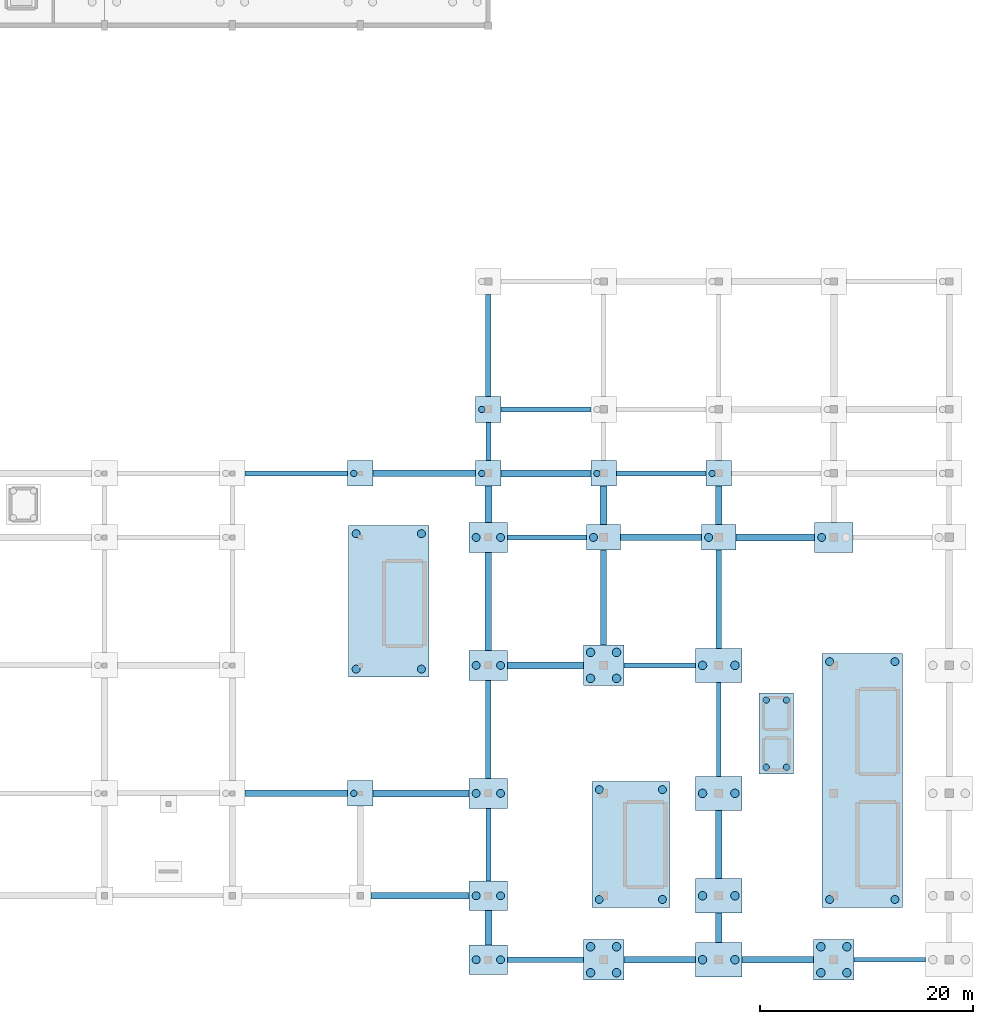
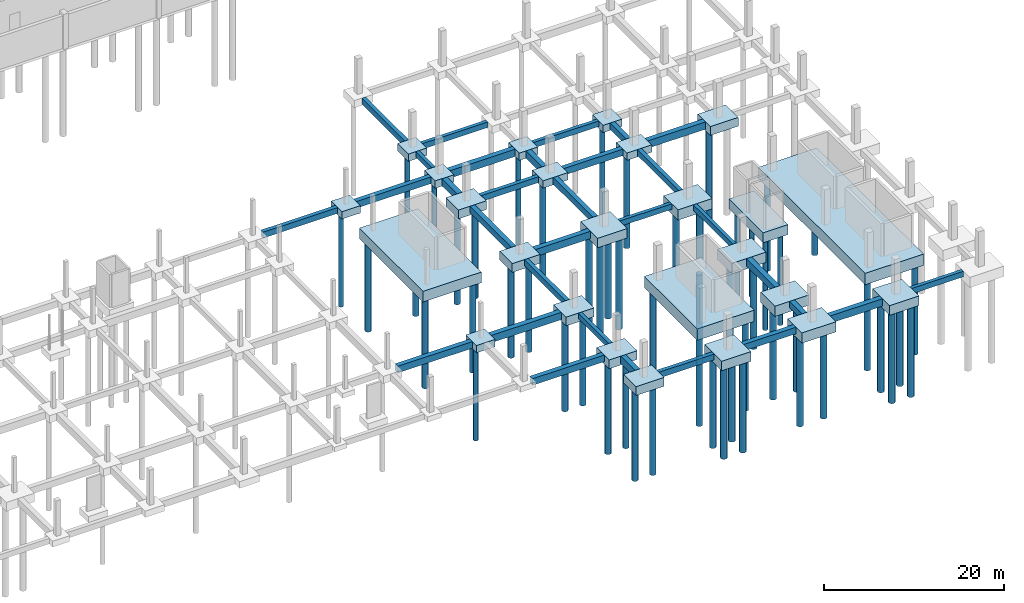
# One storey, part 5 of 31: 56 footings, 55 piles.
"""IFC4 building model written with IfcOpenShell, lengths in metres."""

from ifc_helpers import new_model, si_unit, direction, frame, origin, origin_2d, place, context, subcontext, project, spatial, rectangle, circle, extrude, material, layer, layer_set, material_profile, profile_set, type_object, element, save


model = new_model("IFC4")

# Units and contexts
model_context = context("Model", 3, precision=1e-05, world=origin(), true_north=direction((0.0, 1.0)))
body_context = subcontext(model_context, "Body", "Model", "MODEL_VIEW")
ifc_project = project(units=[si_unit("LENGTHUNIT", "METRE"), si_unit("AREAUNIT", "SQUARE_METRE"), si_unit("VOLUMEUNIT", "CUBIC_METRE"), si_unit("PLANEANGLEUNIT", "RADIAN"), si_unit("MASSUNIT", "GRAM", prefix="KILO")], contexts=[model_context])

# Site, building, storey
site_placement = place(None, origin())
site = spatial("IfcSite", under=ifc_project, at=site_placement, CompositionType="ELEMENT")
building_placement = place(site_placement, origin())
building = spatial("IfcBuilding", under=site, at=building_placement, Name="Merenkruunu Market Hall", CompositionType="ELEMENT")
storey_placement = place(building_placement, frame((0.0, 0.0, -4.800048828125)))
storey = spatial("IfcBuildingStorey", under=building, at=storey_placement, Name="B1", CompositionType="ELEMENT", Elevation=-4.800048828125)

# Footings
ifc_material = material(Name="Concrete C35/45", Category="concrete")
ifc_layer_1 = layer(ifc_material, 1.0)
ifc_layer_set_1 = layer_set([ifc_layer_1], Name="Concrete C35/45")
footing_type_1 = type_object("IfcFootingType", Name="Multi Pile Cap PC01", PredefinedType="PILE_CAP", material=ifc_layer_set_1)
for number, where, z_axis, x_axis, name in (
    (1, (136.800048828125, 15.60009765625, -1.0), (0.0, 0.0, 1.0), (1.0, 0.0, 0.0), "FTG-CAP-P-03"),
    (2, (136.800048828125, 45.60009765625, -1.0), (0.0, 0.0, 1.0), (1.0, 0.0, 0.0), "FTG-CAP-P-06"),
    (3, (148.800048828125, 45.60009765625, -1.0), (0.0, 0.0, 1.0), (1.0, 0.0, 0.0), "FTG-CAP-Q-06"),
    (4, (148.800048828125, 51.60009765625, -1.0), (0.0, 0.0, 1.0), (1.0, 0.0, 0.0), "FTG-CAP-Q-07"),
    (5, (159.60009765625, 45.60009765625, -1.0), (0.0, 0.0, 1.0), (1.0, 0.0, 0.0), "FTG-CAP-R-06"),
    (6, (170.39990234375, 45.60009765625, -1.0), (0.0, 0.0, 1.0), (1.0, 0.0, 0.0), "FTG-CAP-S-06"),
):
    element("IfcFooting", number, at=place(storey_placement, frame(where, z_axis=z_axis, x_axis=x_axis)), inside=storey, type_object=footing_type_1, Name=name, PredefinedType="PILE_CAP", context=body_context, shape_type="SweptSolid", body=[
        extrude(rectangle(XDim=2.39990234375, YDim=2.39990234375, at=origin_2d()), origin(), (0.0, 0.0, 1.0), 1.0),
    ])
ifc_layer_2 = layer(ifc_material, 1.0)
ifc_layer_set_2 = layer_set([ifc_layer_2], Name="Concrete C35/45")
footing_type_2 = type_object("IfcFootingType", Name="Multi Pile Cap PC03", PredefinedType="PILE_CAP", material=ifc_layer_set_2)
for number, where, z_axis, x_axis, name in (
    (7, (159.60009765625, 39.60009765625, -1.0), (0.0, 0.0, 1.0), (1.0, 0.0, 0.0), "FTG-CAP-R-05"),
    (8, (170.39990234375, 39.60009765625, -1.0), (0.0, 0.0, 1.0), (1.0, 0.0, 0.0), "FTG-CAP-S-05"),
):
    element("IfcFooting", number, at=place(storey_placement, frame(where, z_axis=z_axis, x_axis=x_axis)), inside=storey, type_object=footing_type_2, Name=name, PredefinedType="PILE_CAP", context=body_context, shape_type="SweptSolid", body=[
        extrude(rectangle(XDim=3.199951171875, YDim=2.39990234375, at=origin_2d()), origin(), (0.0, 0.0, 1.0), 1.0),
    ])
ifc_layer_3 = layer(ifc_material, 1.199951171875)
ifc_layer_set_3 = layer_set([ifc_layer_3], Name="Concrete C35/45")
footing_type_3 = type_object("IfcFootingType", Name="Multi Pile Cap PC04", PredefinedType="PILE_CAP", material=ifc_layer_set_3)
for number, where, z_axis, x_axis, name in (
    (9, (148.800048828125, 0.0, -1.19970703125), (0.0, 0.0, 1.0), (1.0, 0.0, 0.0), "FTG-CAP-Q-01"),
    (10, (148.800048828125, 6.0, -1.19970703125), (0.0, 0.0, 1.0), (1.0, 0.0, 0.0), "FTG-CAP-Q-02"),
    (11, (148.800048828125, 15.60009765625, -1.19970703125), (0.0, 0.0, 1.0), (1.0, 0.0, 0.0), "FTG-CAP-Q-03"),
    (12, (148.800048828125, 27.60009765625, -1.19970703125), (0.0, 0.0, 1.0), (1.0, 0.0, 0.0), "FTG-CAP-Q-04"),
    (13, (148.800048828125, 39.60009765625, -1.19970703125), (0.0, 0.0, 1.0), (1.0, 0.0, 0.0), "FTG-CAP-Q-05"),
    (14, (181.199951171875, 39.60009765625, -1.19970703125), (0.0, 0.0, 1.0), (1.0, 0.0, 0.0), "FTG-CAP-T-05"),
):
    element("IfcFooting", number, at=place(storey_placement, frame(where, z_axis=z_axis, x_axis=x_axis)), inside=storey, type_object=footing_type_3, Name=name, PredefinedType="PILE_CAP", context=body_context, shape_type="SweptSolid", body=[
        extrude(rectangle(XDim=3.60009765625, YDim=2.800048828125, at=origin_2d()), origin(), (0.0, 0.0, 1.0), 1.199951171875),
    ])
ifc_layer_4 = layer(ifc_material, 1.300048828125)
ifc_layer_set_4 = layer_set([ifc_layer_4], Name="Concrete C35/45")
footing_type_4 = type_object("IfcFootingType", Name="Multi Pile Cap PC05", PredefinedType="PILE_CAP", material=ifc_layer_set_4)
for number, where, z_axis, x_axis, name in (
    (15, (159.60009765625, 0.0, -1.2998046875), (0.0, 0.0, 1.0), (1.0, 0.0, 0.0), "FTG-CAP-R-01"),
    (16, (159.60009765625, 27.60009765625, -1.2998046875), (0.0, 0.0, 1.0), (1.0, 0.0, 0.0), "FTG-CAP-R-04"),
    (17, (181.199951171875, 0.0, -1.2998046875), (0.0, 0.0, 1.0), (1.0, 0.0, 0.0), "FTG-CAP-T-01"),
):
    element("IfcFooting", number, at=place(storey_placement, frame(where, z_axis=z_axis, x_axis=x_axis)), inside=storey, type_object=footing_type_4, Name=name, PredefinedType="PILE_CAP", context=body_context, shape_type="SweptSolid", body=[
        extrude(rectangle(XDim=3.800048828125, YDim=3.800048828125, at=origin_2d()), origin(), (0.0, 0.0, 1.0), 1.300048828125),
    ])
ifc_layer_5 = layer(ifc_material, 1.39990234375)
ifc_layer_set_5 = layer_set([ifc_layer_5], Name="Concrete C35/45")
footing_type_5 = type_object("IfcFootingType", Name="Multi Pile Cap PC06", PredefinedType="PILE_CAP", material=ifc_layer_set_5)
for number, where, z_axis, x_axis, name in (
    (18, (170.39990234375, 0.0, -1.39990234375), (0.0, 0.0, 1.0), (1.0, 0.0, 0.0), "FTG-CAP-S-01"),
    (19, (170.39990234375, 6.0, -1.39990234375), (0.0, 0.0, 1.0), (1.0, 0.0, 0.0), "FTG-CAP-S-02"),
    (20, (170.39990234375, 15.60009765625, -1.39990234375), (0.0, 0.0, 1.0), (1.0, 0.0, 0.0), "FTG-CAP-S-03"),
    (21, (170.39990234375, 27.60009765625, -1.39990234375), (0.0, 0.0, 1.0), (1.0, 0.0, 0.0), "FTG-CAP-S-04"),
):
    element("IfcFooting", number, at=place(storey_placement, frame(where, z_axis=z_axis, x_axis=x_axis)), inside=storey, type_object=footing_type_5, Name=name, PredefinedType="PILE_CAP", context=body_context, shape_type="SweptSolid", body=[
        extrude(rectangle(XDim=4.39990234375, YDim=3.199951171875, at=origin_2d()), origin(), (0.0, 0.0, 1.0), 1.39990234375),
    ])
ifc_layer_6 = layer(ifc_material, 1.449951171875)
ifc_layer_set_6 = layer_set([ifc_layer_6], Name="Concrete C35/45")
footing_type_6 = type_object("IfcFootingType", Name="Multi Pile Cap PC09", PredefinedType="PILE_CAP", material=ifc_layer_set_6)
footing_1_placement = place(storey_placement, frame((139.4599609375, 33.60009765625, -1.44970703125), z_axis=(0.0, 0.0, 1.0), x_axis=(1.0, 0.0, 0.0)))
element("IfcFooting", 22, at=footing_1_placement, inside=storey, type_object=footing_type_6, Name="FTG-CORECAP-K8", PredefinedType="PILE_CAP", context=body_context, shape_type="SweptSolid", body=[
    extrude(rectangle(XDim=7.52001953125, YDim=14.199951171875, at=origin_2d()), origin(), (0.0, 0.0, 1.0), 1.449951171875),
])
ifc_layer_7 = layer(ifc_material, 1.550048828125)
ifc_layer_set_7 = layer_set([ifc_layer_7], Name="Concrete C35/45")
footing_type_7 = type_object("IfcFootingType", Name="Multi Pile Cap PC10", PredefinedType="PILE_CAP", material=ifc_layer_set_7)
footing_2_placement = place(storey_placement, frame((183.860107421875, 16.800048828125, -1.5498046875), z_axis=(0.0, 0.0, 1.0), x_axis=(1.0, 0.0, 0.0)))
element("IfcFooting", 23, at=footing_2_placement, inside=storey, type_object=footing_type_7, Name="FTG-CORECAP-K56", PredefinedType="PILE_CAP", context=body_context, shape_type="SweptSolid", body=[
    extrude(rectangle(XDim=7.52001953125, YDim=23.800048828125, at=origin_2d()), origin(), (0.0, 0.0, 1.0), 1.550048828125),
])
footing_3_placement = place(storey_placement, frame((162.159912109375, 10.800048828125, -1.5498046875), z_axis=(0.0, 0.0, 1.0), x_axis=(1.0, 0.0, 0.0)))
element("IfcFooting", 24, at=footing_3_placement, inside=storey, type_object=footing_type_7, Name="FTG-CORECAP-K9", PredefinedType="PILE_CAP", context=body_context, shape_type="SweptSolid", body=[
    extrude(rectangle(XDim=7.320068359375, YDim=11.800048828125, at=origin_2d()), origin(), (0.0, 0.0, 1.0), 1.550048828125),
])
ifc_layer_8 = layer(ifc_material, 1.35009765625)
ifc_layer_set_8 = layer_set([ifc_layer_8], Name="Concrete C35/45")
footing_type_8 = type_object("IfcFootingType", Name="Multi Pile Cap PC12", PredefinedType="PILE_CAP", material=ifc_layer_set_8)
footing_4_placement = place(storey_placement, frame((175.800048828125, 21.199951171875, -1.35009765625), z_axis=(0.0, 0.0, 1.0), x_axis=(1.0, 0.0, 0.0)))
element("IfcFooting", 25, at=footing_4_placement, inside=storey, type_object=footing_type_8, Name="FTG-LIFTCAP-LP45", PredefinedType="PILE_CAP", context=body_context, shape_type="SweptSolid", body=[
    extrude(rectangle(XDim=3.199951171875, YDim=7.60009765625, at=origin_2d()), origin(), (0.0, 0.0, 1.0), 1.35009765625),
])

# Piles
ifc_material_profile_1 = material_profile(ifc_material, circle(Radius=0.300048828125, at=origin_2d()), Name="BORED PILE 600")
ifc_profile_set_1 = profile_set([ifc_material_profile_1], Name="Concrete C35/45")
pile_type_1 = type_object("IfcPileType", Name="Rock Socketed Bored Pile P01", PredefinedType="BORED", material=ifc_profile_set_1)
for number, where, z_axis, x_axis, name in (
    (26, (174.85009765625, 18.050048828125, -1.25), (0.0, 0.0, -1.0), (1.0, 0.0, 0.0), "PILE-P01-0192"),
    (27, (176.75, 18.050048828125, -1.25), (0.0, 0.0, -1.0), (1.0, 0.0, 0.0), "PILE-P01-0193"),
    (28, (174.85009765625, 24.35009765625, -1.25), (0.0, 0.0, -1.0), (1.0, 0.0, 0.0), "PILE-P01-0194"),
    (29, (176.75, 24.35009765625, -1.25), (0.0, 0.0, -1.0), (1.0, 0.0, 0.0), "PILE-P01-0195"),
):
    element("IfcPile", number, at=place(storey_placement, frame(where, z_axis=z_axis, x_axis=x_axis)), inside=storey, type_object=pile_type_1, Name=name, PredefinedType="BORED", context=body_context, shape_type="SweptSolid", body=[
        extrude(circle(Radius=0.300048828125, at=origin_2d()), origin(), (0.0, 0.0, 1.0), 12.449951171875),
    ])
for number, where, z_axis, x_axis, name in (
    (30, (136.179931640625, 15.60009765625, -0.89990234375), (0.0, 0.0, -1.0), (1.0, 0.0, 0.0), "PILE-P01-0292"),
    (31, (136.179931640625, 45.60009765625, -0.89990234375), (0.0, 0.0, -1.0), (1.0, 0.0, 0.0), "PILE-P01-0293"),
    (32, (148.179931640625, 45.60009765625, -0.89990234375), (0.0, 0.0, -1.0), (1.0, 0.0, 0.0), "PILE-P01-0304"),
    (33, (148.179931640625, 51.60009765625, -0.89990234375), (0.0, 0.0, -1.0), (1.0, 0.0, 0.0), "PILE-P01-0305"),
    (34, (158.97998046875, 45.60009765625, -0.89990234375), (0.0, 0.0, -1.0), (1.0, 0.0, 0.0), "PILE-P01-0316"),
    (35, (169.780029296875, 45.60009765625, -0.89990234375), (0.0, 0.0, -1.0), (1.0, 0.0, 0.0), "PILE-P01-0328"),
):
    element("IfcPile", number, at=place(storey_placement, frame(where, z_axis=z_axis, x_axis=x_axis)), inside=storey, type_object=pile_type_1, Name=name, PredefinedType="BORED", context=body_context, shape_type="SweptSolid", body=[
        extrude(circle(Radius=0.300048828125, at=origin_2d()), origin(), (0.0, 0.0, 1.0), 12.800048828125),
    ])
ifc_material_profile_2 = material_profile(ifc_material, circle(Radius=0.375, at=origin_2d()), Name="BORED PILE 750")
ifc_profile_set_2 = profile_set([ifc_material_profile_2], Name="Concrete C35/45")
pile_type_2 = type_object("IfcPileType", Name="Rock Socketed Bored Pile P02", PredefinedType="BORED", material=ifc_profile_set_2)
for number, where, z_axis, x_axis, name in (
    (36, (180.800048828125, 5.64990234375, -1.449951171875), (0.0, 0.0, -1.0), (1.0, 0.0, 0.0), "PILE-P02-0176"),
    (37, (186.919921875, 5.64990234375, -1.449951171875), (0.0, 0.0, -1.0), (1.0, 0.0, 0.0), "PILE-P02-0177"),
    (38, (180.800048828125, 27.949951171875, -1.449951171875), (0.0, 0.0, -1.0), (1.0, 0.0, 0.0), "PILE-P02-0178"),
    (39, (186.919921875, 27.949951171875, -1.449951171875), (0.0, 0.0, -1.0), (1.0, 0.0, 0.0), "PILE-P02-0179"),
):
    element("IfcPile", number, at=place(storey_placement, frame(where, z_axis=z_axis, x_axis=x_axis)), inside=storey, type_object=pile_type_2, Name=name, PredefinedType="BORED", context=body_context, shape_type="SweptSolid", body=[
        extrude(circle(Radius=0.375, at=origin_2d()), origin(), (0.0, 0.0, 1.0), 12.25),
    ])
for number, where, z_axis, x_axis, name in (
    (40, (136.39990234375, 27.25, -1.349853515625), (0.0, 0.0, -1.0), (1.0, 0.0, 0.0), "PILE-P02-0180"),
    (41, (142.52001953125, 27.25, -1.349853515625), (0.0, 0.0, -1.0), (1.0, 0.0, 0.0), "PILE-P02-0181"),
    (42, (136.39990234375, 39.949951171875, -1.349853515625), (0.0, 0.0, -1.0), (1.0, 0.0, 0.0), "PILE-P02-0182"),
    (43, (142.52001953125, 39.949951171875, -1.349853515625), (0.0, 0.0, -1.0), (1.0, 0.0, 0.0), "PILE-P02-0183"),
):
    element("IfcPile", number, at=place(storey_placement, frame(where, z_axis=z_axis, x_axis=x_axis)), inside=storey, type_object=pile_type_2, Name=name, PredefinedType="BORED", context=body_context, shape_type="SweptSolid", body=[
        extrude(circle(Radius=0.375, at=origin_2d()), origin(), (0.0, 0.0, 1.0), 12.35009765625),
    ])
for number, where, z_axis, x_axis, name in (
    (44, (159.199951171875, 5.64990234375, -1.449951171875), (0.0, 0.0, -1.0), (1.0, 0.0, 0.0), "PILE-P02-0184"),
    (45, (165.1201171875, 5.64990234375, -1.449951171875), (0.0, 0.0, -1.0), (1.0, 0.0, 0.0), "PILE-P02-0185"),
    (46, (159.199951171875, 15.949951171875, -1.449951171875), (0.0, 0.0, -1.0), (1.0, 0.0, 0.0), "PILE-P02-0186"),
    (47, (165.1201171875, 15.949951171875, -1.449951171875), (0.0, 0.0, -1.0), (1.0, 0.0, 0.0), "PILE-P02-0187"),
):
    element("IfcPile", number, at=place(storey_placement, frame(where, z_axis=z_axis, x_axis=x_axis)), inside=storey, type_object=pile_type_2, Name=name, PredefinedType="BORED", context=body_context, shape_type="SweptSolid", body=[
        extrude(circle(Radius=0.375, at=origin_2d()), origin(), (0.0, 0.0, 1.0), 12.25),
    ])
for number, where, z_axis, x_axis, name in (
    (48, (147.655029296875, 0.0, -1.099853515625), (0.0, 0.0, -1.0), (1.0, 0.0, 0.0), "PILE-P02-0294"),
    (49, (149.945068359375, 0.0, -1.099853515625), (0.0, 0.0, -1.0), (1.0, 0.0, 0.0), "PILE-P02-0295"),
    (50, (147.655029296875, 6.0, -1.099853515625), (0.0, 0.0, -1.0), (1.0, 0.0, 0.0), "PILE-P02-0296"),
    (51, (149.945068359375, 6.0, -1.099853515625), (0.0, 0.0, -1.0), (1.0, 0.0, 0.0), "PILE-P02-0297"),
    (52, (147.655029296875, 15.60009765625, -1.099853515625), (0.0, 0.0, -1.0), (1.0, 0.0, 0.0), "PILE-P02-0298"),
    (53, (149.945068359375, 15.60009765625, -1.099853515625), (0.0, 0.0, -1.0), (1.0, 0.0, 0.0), "PILE-P02-0299"),
    (54, (147.655029296875, 27.60009765625, -1.099853515625), (0.0, 0.0, -1.0), (1.0, 0.0, 0.0), "PILE-P02-0300"),
    (55, (149.945068359375, 27.60009765625, -1.099853515625), (0.0, 0.0, -1.0), (1.0, 0.0, 0.0), "PILE-P02-0301"),
    (56, (147.655029296875, 39.60009765625, -1.099853515625), (0.0, 0.0, -1.0), (1.0, 0.0, 0.0), "PILE-P02-0302"),
    (57, (149.945068359375, 39.60009765625, -1.099853515625), (0.0, 0.0, -1.0), (1.0, 0.0, 0.0), "PILE-P02-0303"),
):
    element("IfcPile", number, at=place(storey_placement, frame(where, z_axis=z_axis, x_axis=x_axis)), inside=storey, type_object=pile_type_2, Name=name, PredefinedType="BORED", context=body_context, shape_type="SweptSolid", body=[
        extrude(circle(Radius=0.375, at=origin_2d()), origin(), (0.0, 0.0, 1.0), 12.60009765625),
    ])
for number, where, z_axis, x_axis, name in (
    (58, (158.655029296875, 39.60009765625, -0.89990234375), (0.0, 0.0, -1.0), (1.0, 0.0, 0.0), "PILE-P02-0315"),
    (59, (169.455078125, 39.60009765625, -0.89990234375), (0.0, 0.0, -1.0), (1.0, 0.0, 0.0), "PILE-P02-0327"),
):
    element("IfcPile", number, at=place(storey_placement, frame(where, z_axis=z_axis, x_axis=x_axis)), inside=storey, type_object=pile_type_2, Name=name, PredefinedType="BORED", context=body_context, shape_type="SweptSolid", body=[
        extrude(circle(Radius=0.375, at=origin_2d()), origin(), (0.0, 0.0, 1.0), 12.800048828125),
    ])
pile_placement = place(storey_placement, frame((180.054931640625, 39.60009765625, -1.099853515625), z_axis=(0.0, 0.0, -1.0), x_axis=(1.0, 0.0, 0.0)))
element("IfcPile", 60, at=pile_placement, inside=storey, type_object=pile_type_2, Name="PILE-P02-0335", PredefinedType="BORED", context=body_context, shape_type="SweptSolid", body=[
    extrude(circle(Radius=0.375, at=origin_2d()), origin(), (0.0, 0.0, 1.0), 12.60009765625),
])
ifc_material_profile_3 = material_profile(ifc_material, circle(Radius=0.39990234375, at=origin_2d()), Name="BORED PILE 800")
ifc_profile_set_3 = profile_set([ifc_material_profile_3], Name="Concrete C35/45")
pile_type_3 = type_object("IfcPileType", Name="Rock Socketed Bored Pile P03", PredefinedType="BORED", material=ifc_profile_set_3)
for number, where, z_axis, x_axis, name in (
    (61, (158.3798828125, -1.219970703125, -1.199951171875), (0.0, 0.0, -1.0), (1.0, 0.0, 0.0), "PILE-P03-0307"),
    (62, (160.820068359375, -1.219970703125, -1.199951171875), (0.0, 0.0, -1.0), (1.0, 0.0, 0.0), "PILE-P03-0308"),
    (63, (158.3798828125, 1.219970703125, -1.199951171875), (0.0, 0.0, -1.0), (1.0, 0.0, 0.0), "PILE-P03-0309"),
    (64, (160.820068359375, 1.219970703125, -1.199951171875), (0.0, 0.0, -1.0), (1.0, 0.0, 0.0), "PILE-P03-0310"),
    (65, (158.3798828125, 26.3798828125, -1.199951171875), (0.0, 0.0, -1.0), (1.0, 0.0, 0.0), "PILE-P03-0311"),
    (66, (160.820068359375, 26.3798828125, -1.199951171875), (0.0, 0.0, -1.0), (1.0, 0.0, 0.0), "PILE-P03-0312"),
    (67, (158.3798828125, 28.820068359375, -1.199951171875), (0.0, 0.0, -1.0), (1.0, 0.0, 0.0), "PILE-P03-0313"),
    (68, (160.820068359375, 28.820068359375, -1.199951171875), (0.0, 0.0, -1.0), (1.0, 0.0, 0.0), "PILE-P03-0314"),
):
    element("IfcPile", number, at=place(storey_placement, frame(where, z_axis=z_axis, x_axis=x_axis)), inside=storey, type_object=pile_type_3, Name=name, PredefinedType="BORED", context=body_context, shape_type="SweptSolid", body=[
        extrude(circle(Radius=0.39990234375, at=origin_2d()), origin(), (0.0, 0.0, 1.0), 12.5),
    ])
for number, where, z_axis, x_axis, name in (
    (69, (168.8798828125, 0.0, -1.300048828125), (0.0, 0.0, -1.0), (1.0, 0.0, 0.0), "PILE-P03-0319"),
    (70, (171.919921875, 0.0, -1.300048828125), (0.0, 0.0, -1.0), (1.0, 0.0, 0.0), "PILE-P03-0320"),
    (71, (168.8798828125, 6.0, -1.300048828125), (0.0, 0.0, -1.0), (1.0, 0.0, 0.0), "PILE-P03-0321"),
    (72, (171.919921875, 6.0, -1.300048828125), (0.0, 0.0, -1.0), (1.0, 0.0, 0.0), "PILE-P03-0322"),
    (73, (168.8798828125, 15.60009765625, -1.300048828125), (0.0, 0.0, -1.0), (1.0, 0.0, 0.0), "PILE-P03-0323"),
    (74, (171.919921875, 15.60009765625, -1.300048828125), (0.0, 0.0, -1.0), (1.0, 0.0, 0.0), "PILE-P03-0324"),
    (75, (168.8798828125, 27.60009765625, -1.300048828125), (0.0, 0.0, -1.0), (1.0, 0.0, 0.0), "PILE-P03-0325"),
    (76, (171.919921875, 27.60009765625, -1.300048828125), (0.0, 0.0, -1.0), (1.0, 0.0, 0.0), "PILE-P03-0326"),
):
    element("IfcPile", number, at=place(storey_placement, frame(where, z_axis=z_axis, x_axis=x_axis)), inside=storey, type_object=pile_type_3, Name=name, PredefinedType="BORED", context=body_context, shape_type="SweptSolid", body=[
        extrude(circle(Radius=0.39990234375, at=origin_2d()), origin(), (0.0, 0.0, 1.0), 12.39990234375),
    ])
for number, where, z_axis, x_axis, name in (
    (77, (179.97998046875, -1.219970703125, -1.199951171875), (0.0, 0.0, -1.0), (1.0, 0.0, 0.0), "PILE-P03-0331"),
    (78, (182.419921875, -1.219970703125, -1.199951171875), (0.0, 0.0, -1.0), (1.0, 0.0, 0.0), "PILE-P03-0332"),
    (79, (179.97998046875, 1.219970703125, -1.199951171875), (0.0, 0.0, -1.0), (1.0, 0.0, 0.0), "PILE-P03-0333"),
    (80, (182.419921875, 1.219970703125, -1.199951171875), (0.0, 0.0, -1.0), (1.0, 0.0, 0.0), "PILE-P03-0334"),
):
    element("IfcPile", number, at=place(storey_placement, frame(where, z_axis=z_axis, x_axis=x_axis)), inside=storey, type_object=pile_type_3, Name=name, PredefinedType="BORED", context=body_context, shape_type="SweptSolid", body=[
        extrude(circle(Radius=0.39990234375, at=origin_2d()), origin(), (0.0, 0.0, 1.0), 12.5),
    ])

# Footings
ifc_layer_9 = layer(ifc_material, 0.800048828125)
ifc_layer_set_9 = layer_set([ifc_layer_9], Name="Concrete C35/45")
footing_type_9 = type_object("IfcFootingType", Name="Tie Ground Beam GB01", PredefinedType="FOOTING_BEAM", material=ifc_layer_set_9)
footing_5_placement = place(storey_placement, frame((154.14990234375, 0.0, -0.7998046875), z_axis=(0.0, 0.0, 1.0), x_axis=(1.0, 0.0, 0.0)))
element("IfcFooting", 81, at=footing_5_placement, inside=storey, type_object=footing_type_9, Name="FTG-GB-EW-001", PredefinedType="FOOTING_BEAM", context=body_context, shape_type="SweptSolid", body=[
    extrude(rectangle(XDim=7.10009765625, YDim=0.5, at=origin_2d()), origin(), (0.0, 0.0, 1.0), 0.800048828125),
])
footing_6_placement = place(storey_placement, frame((154.300048828125, 39.60009765625, -0.7998046875), z_axis=(0.0, 0.0, 1.0), x_axis=(1.0, 0.0, 0.0)))
element("IfcFooting", 82, at=footing_6_placement, inside=storey, type_object=footing_type_9, Name="FTG-GB-EW-057", PredefinedType="FOOTING_BEAM", context=body_context, shape_type="SweptSolid", body=[
    extrude(rectangle(XDim=7.39990234375, YDim=0.5, at=origin_2d()), origin(), (0.0, 0.0, 1.0), 0.800048828125),
])
footing_7_placement = place(storey_placement, frame((130.800048828125, 45.60009765625, -0.7998046875), z_axis=(0.0, 0.0, 1.0), x_axis=(1.0, 0.0, 0.0)))
element("IfcFooting", 83, at=footing_7_placement, inside=storey, type_object=footing_type_9, Name="FTG-GB-EW-073", PredefinedType="FOOTING_BEAM", context=body_context, shape_type="SweptSolid", body=[
    extrude(rectangle(XDim=9.60009765625, YDim=0.5, at=origin_2d()), origin(), (0.0, 0.0, 1.0), 0.800048828125),
])
footing_8_placement = place(storey_placement, frame((148.800048828125, 21.60009765625, -0.7998046875), z_axis=(0.0, 0.0, 1.0), x_axis=(0.0, 1.0, 0.0)))
element("IfcFooting", 84, at=footing_8_placement, inside=storey, type_object=footing_type_9, Name="FTG-GB-NS-157", PredefinedType="FOOTING_BEAM", context=body_context, shape_type="SweptSolid", body=[
    extrude(rectangle(XDim=9.199951171875, YDim=0.5, at=origin_2d()), origin(), (0.0, 0.0, 1.0), 0.800048828125),
])
footing_9_placement = place(storey_placement, frame((148.800048828125, 57.60009765625, -0.7998046875), z_axis=(0.0, 0.0, 1.0), x_axis=(0.0, 1.0, 0.0)))
element("IfcFooting", 85, at=footing_9_placement, inside=storey, type_object=footing_type_9, Name="FTG-GB-NS-161", PredefinedType="FOOTING_BEAM", context=body_context, shape_type="SweptSolid", body=[
    extrude(rectangle(XDim=9.60009765625, YDim=0.5, at=origin_2d()), origin(), (0.0, 0.0, 1.0), 0.800048828125),
])
footing_10_placement = place(storey_placement, frame((170.39990234375, 33.800048828125, -0.7998046875), z_axis=(0.0, 0.0, 1.0), x_axis=(0.0, 1.0, 0.0)))
element("IfcFooting", 86, at=footing_10_placement, inside=storey, type_object=footing_type_9, Name="FTG-GB-NS-169", PredefinedType="FOOTING_BEAM", context=body_context, shape_type="SweptSolid", body=[
    extrude(rectangle(XDim=9.199951171875, YDim=0.5, at=origin_2d()), origin(), (0.0, 0.0, 1.0), 0.800048828125),
])
ifc_layer_10 = layer(ifc_material, 0.89990234375)
ifc_layer_set_10 = layer_set([ifc_layer_10], Name="Concrete C35/45")
footing_type_10 = type_object("IfcFootingType", Name="Tie Ground Beam GB02", PredefinedType="FOOTING_BEAM", material=ifc_layer_set_10)
footing_11_placement = place(storey_placement, frame((164.85009765625, 0.0, -0.89990234375), z_axis=(0.0, 0.0, 1.0), x_axis=(1.0, 0.0, 0.0)))
element("IfcFooting", 87, at=footing_11_placement, inside=storey, type_object=footing_type_10, Name="FTG-GB-EW-002", PredefinedType="FOOTING_BEAM", context=body_context, shape_type="SweptSolid", body=[
    extrude(rectangle(XDim=6.699951171875, YDim=0.60009765625, at=origin_2d()), origin(), (0.0, 0.0, 1.0), 0.89990234375),
])
footing_12_placement = place(storey_placement, frame((142.39990234375, 6.0, -0.89990234375), z_axis=(0.0, 0.0, 1.0), x_axis=(1.0, 0.0, 0.0)))
element("IfcFooting", 88, at=footing_12_placement, inside=storey, type_object=footing_type_10, Name="FTG-GB-EW-018", PredefinedType="FOOTING_BEAM", context=body_context, shape_type="SweptSolid", body=[
    extrude(rectangle(XDim=9.199951171875, YDim=0.60009765625, at=origin_2d()), origin(), (0.0, 0.0, 1.0), 0.89990234375),
])
footing_13_placement = place(storey_placement, frame((130.800048828125, 15.60009765625, -0.89990234375), z_axis=(0.0, 0.0, 1.0), x_axis=(1.0, 0.0, 0.0)))
element("IfcFooting", 89, at=footing_13_placement, inside=storey, type_object=footing_type_10, Name="FTG-GB-EW-030", PredefinedType="FOOTING_BEAM", context=body_context, shape_type="SweptSolid", body=[
    extrude(rectangle(XDim=9.60009765625, YDim=0.60009765625, at=origin_2d()), origin(), (0.0, 0.0, 1.0), 0.89990234375),
])
footing_14_placement = place(storey_placement, frame((165.0, 39.60009765625, -0.89990234375), z_axis=(0.0, 0.0, 1.0), x_axis=(1.0, 0.0, 0.0)))
element("IfcFooting", 90, at=footing_14_placement, inside=storey, type_object=footing_type_10, Name="FTG-GB-EW-058", PredefinedType="FOOTING_BEAM", context=body_context, shape_type="SweptSolid", body=[
    extrude(rectangle(XDim=7.60009765625, YDim=0.60009765625, at=origin_2d()), origin(), (0.0, 0.0, 1.0), 0.89990234375),
])
footing_15_placement = place(storey_placement, frame((142.800048828125, 45.60009765625, -0.89990234375), z_axis=(0.0, 0.0, 1.0), x_axis=(1.0, 0.0, 0.0)))
element("IfcFooting", 91, at=footing_15_placement, inside=storey, type_object=footing_type_10, Name="FTG-GB-EW-074", PredefinedType="FOOTING_BEAM", context=body_context, shape_type="SweptSolid", body=[
    extrude(rectangle(XDim=9.60009765625, YDim=0.60009765625, at=origin_2d()), origin(), (0.0, 0.0, 1.0), 0.89990234375),
])
footing_16_placement = place(storey_placement, frame((148.800048828125, 33.60009765625, -0.89990234375), z_axis=(0.0, 0.0, 1.0), x_axis=(0.0, 1.0, 0.0)))
element("IfcFooting", 92, at=footing_16_placement, inside=storey, type_object=footing_type_10, Name="FTG-GB-NS-158", PredefinedType="FOOTING_BEAM", context=body_context, shape_type="SweptSolid", body=[
    extrude(rectangle(XDim=9.199951171875, YDim=0.60009765625, at=origin_2d()), origin(), (0.0, 0.0, 1.0), 0.89990234375),
])
footing_17_placement = place(storey_placement, frame((159.60009765625, 33.949951171875, -0.89990234375), z_axis=(0.0, 0.0, 1.0), x_axis=(0.0, 1.0, 0.0)))
element("IfcFooting", 93, at=footing_17_placement, inside=storey, type_object=footing_type_10, Name="FTG-GB-NS-162", PredefinedType="FOOTING_BEAM", context=body_context, shape_type="SweptSolid", body=[
    extrude(rectangle(XDim=8.89990234375, YDim=0.60009765625, at=origin_2d()), origin(), (0.0, 0.0, 1.0), 0.89990234375),
])
footing_18_placement = place(storey_placement, frame((170.39990234375, 3.0, -0.89990234375), z_axis=(0.0, 0.0, 1.0), x_axis=(0.0, 1.0, 0.0)))
element("IfcFooting", 94, at=footing_18_placement, inside=storey, type_object=footing_type_10, Name="FTG-GB-NS-166", PredefinedType="FOOTING_BEAM", context=body_context, shape_type="SweptSolid", body=[
    extrude(rectangle(XDim=2.800048828125, YDim=0.60009765625, at=origin_2d()), origin(), (0.0, 0.0, 1.0), 0.89990234375),
])
footing_19_placement = place(storey_placement, frame((170.39990234375, 42.60009765625, -0.89990234375), z_axis=(0.0, 0.0, 1.0), x_axis=(0.0, 1.0, 0.0)))
element("IfcFooting", 95, at=footing_19_placement, inside=storey, type_object=footing_type_10, Name="FTG-GB-NS-170", PredefinedType="FOOTING_BEAM", context=body_context, shape_type="SweptSolid", body=[
    extrude(rectangle(XDim=3.60009765625, YDim=0.60009765625, at=origin_2d()), origin(), (0.0, 0.0, 1.0), 0.89990234375),
])
ifc_layer_11 = layer(ifc_material, 1.0)
ifc_layer_set_11 = layer_set([ifc_layer_11], Name="Concrete C35/45")
footing_type_11 = type_object("IfcFootingType", Name="Tie Ground Beam GB03", PredefinedType="FOOTING_BEAM", material=ifc_layer_set_11)
footing_20_placement = place(storey_placement, frame((175.949951171875, 0.0, -1.0), z_axis=(0.0, 0.0, 1.0), x_axis=(1.0, 0.0, 0.0)))
element("IfcFooting", 96, at=footing_20_placement, inside=storey, type_object=footing_type_11, Name="FTG-GB-EW-003", PredefinedType="FOOTING_BEAM", context=body_context, shape_type="SweptSolid", body=[
    extrude(rectangle(XDim=6.699951171875, YDim=0.64990234375, at=origin_2d()), origin(), (0.0, 0.0, 1.0), 1.0),
])
footing_21_placement = place(storey_placement, frame((142.5, 15.60009765625, -1.0), z_axis=(0.0, 0.0, 1.0), x_axis=(1.0, 0.0, 0.0)))
element("IfcFooting", 97, at=footing_21_placement, inside=storey, type_object=footing_type_11, Name="FTG-GB-EW-031", PredefinedType="FOOTING_BEAM", context=body_context, shape_type="SweptSolid", body=[
    extrude(rectangle(XDim=9.0, YDim=0.64990234375, at=origin_2d()), origin(), (0.0, 0.0, 1.0), 1.0),
])
footing_22_placement = place(storey_placement, frame((154.14990234375, 27.60009765625, -1.0), z_axis=(0.0, 0.0, 1.0), x_axis=(1.0, 0.0, 0.0)))
element("IfcFooting", 98, at=footing_22_placement, inside=storey, type_object=footing_type_11, Name="FTG-GB-EW-043", PredefinedType="FOOTING_BEAM", context=body_context, shape_type="SweptSolid", body=[
    extrude(rectangle(XDim=7.10009765625, YDim=0.64990234375, at=origin_2d()), origin(), (0.0, 0.0, 1.0), 1.0),
])
footing_23_placement = place(storey_placement, frame((175.699951171875, 39.60009765625, -1.0), z_axis=(0.0, 0.0, 1.0), x_axis=(1.0, 0.0, 0.0)))
element("IfcFooting", 99, at=footing_23_placement, inside=storey, type_object=footing_type_11, Name="FTG-GB-EW-059", PredefinedType="FOOTING_BEAM", context=body_context, shape_type="SweptSolid", body=[
    extrude(rectangle(XDim=7.39990234375, YDim=0.64990234375, at=origin_2d()), origin(), (0.0, 0.0, 1.0), 1.0),
])
footing_24_placement = place(storey_placement, frame((154.199951171875, 45.60009765625, -1.0), z_axis=(0.0, 0.0, 1.0), x_axis=(1.0, 0.0, 0.0)))
element("IfcFooting", 100, at=footing_24_placement, inside=storey, type_object=footing_type_11, Name="FTG-GB-EW-075", PredefinedType="FOOTING_BEAM", context=body_context, shape_type="SweptSolid", body=[
    extrude(rectangle(XDim=8.39990234375, YDim=0.64990234375, at=origin_2d()), origin(), (0.0, 0.0, 1.0), 1.0),
])
footing_25_placement = place(storey_placement, frame((148.800048828125, 3.0, -1.0), z_axis=(0.0, 0.0, 1.0), x_axis=(0.0, 1.0, 0.0)))
element("IfcFooting", 101, at=footing_25_placement, inside=storey, type_object=footing_type_11, Name="FTG-GB-NS-155", PredefinedType="FOOTING_BEAM", context=body_context, shape_type="SweptSolid", body=[
    extrude(rectangle(XDim=3.199951171875, YDim=0.64990234375, at=origin_2d()), origin(), (0.0, 0.0, 1.0), 1.0),
])
footing_26_placement = place(storey_placement, frame((148.800048828125, 42.699951171875, -1.0), z_axis=(0.0, 0.0, 1.0), x_axis=(0.0, 1.0, 0.0)))
element("IfcFooting", 102, at=footing_26_placement, inside=storey, type_object=footing_type_11, Name="FTG-GB-NS-159", PredefinedType="FOOTING_BEAM", context=body_context, shape_type="SweptSolid", body=[
    extrude(rectangle(XDim=3.39990234375, YDim=0.64990234375, at=origin_2d()), origin(), (0.0, 0.0, 1.0), 1.0),
])
footing_27_placement = place(storey_placement, frame((159.60009765625, 42.60009765625, -1.0), z_axis=(0.0, 0.0, 1.0), x_axis=(0.0, 1.0, 0.0)))
element("IfcFooting", 103, at=footing_27_placement, inside=storey, type_object=footing_type_11, Name="FTG-GB-NS-163", PredefinedType="FOOTING_BEAM", context=body_context, shape_type="SweptSolid", body=[
    extrude(rectangle(XDim=3.60009765625, YDim=0.64990234375, at=origin_2d()), origin(), (0.0, 0.0, 1.0), 1.0),
])
footing_28_placement = place(storey_placement, frame((170.39990234375, 10.800048828125, -1.0), z_axis=(0.0, 0.0, 1.0), x_axis=(0.0, 1.0, 0.0)))
element("IfcFooting", 104, at=footing_28_placement, inside=storey, type_object=footing_type_11, Name="FTG-GB-NS-167", PredefinedType="FOOTING_BEAM", context=body_context, shape_type="SweptSolid", body=[
    extrude(rectangle(XDim=6.39990234375, YDim=0.64990234375, at=origin_2d()), origin(), (0.0, 0.0, 1.0), 1.0),
])
ifc_layer_12 = layer(ifc_material, 0.75)
ifc_layer_set_12 = layer_set([ifc_layer_12], Name="Concrete C35/45")
footing_type_12 = type_object("IfcFootingType", Name="Tie Ground Beam GB04", PredefinedType="FOOTING_BEAM", material=ifc_layer_set_12)
for number, where, z_axis, x_axis, name in (
    (105, (186.449951171875, 0.0, -0.75), (0.0, 0.0, 1.0), (1.0, 0.0, 0.0), "FTG-GB-EW-004"),
    (106, (164.85009765625, 27.60009765625, -0.75), (0.0, 0.0, 1.0), (1.0, 0.0, 0.0), "FTG-GB-EW-044"),
):
    element("IfcFooting", number, at=place(storey_placement, frame(where, z_axis=z_axis, x_axis=x_axis)), inside=storey, type_object=footing_type_12, Name=name, PredefinedType="FOOTING_BEAM", context=body_context, shape_type="SweptSolid", body=[
        extrude(rectangle(XDim=6.699951171875, YDim=0.449951171875, at=origin_2d()), origin(), (0.0, 0.0, 1.0), 0.75),
    ])
for number, where, z_axis, x_axis, name in (
    (107, (165.0, 45.60009765625, -0.75), (0.0, 0.0, 1.0), (1.0, 0.0, 0.0), "FTG-GB-EW-076"),
    (108, (154.199951171875, 51.60009765625, -0.75), (0.0, 0.0, 1.0), (1.0, 0.0, 0.0), "FTG-GB-EW-080"),
):
    element("IfcFooting", number, at=place(storey_placement, frame(where, z_axis=z_axis, x_axis=x_axis)), inside=storey, type_object=footing_type_12, Name=name, PredefinedType="FOOTING_BEAM", context=body_context, shape_type="SweptSolid", body=[
        extrude(rectangle(XDim=8.39990234375, YDim=0.449951171875, at=origin_2d()), origin(), (0.0, 0.0, 1.0), 0.75),
    ])
footing_29_placement = place(storey_placement, frame((148.800048828125, 10.800048828125, -0.75), z_axis=(0.0, 0.0, 1.0), x_axis=(0.0, 1.0, 0.0)))
element("IfcFooting", 109, at=footing_29_placement, inside=storey, type_object=footing_type_12, Name="FTG-GB-NS-156", PredefinedType="FOOTING_BEAM", context=body_context, shape_type="SweptSolid", body=[
    extrude(rectangle(XDim=6.800048828125, YDim=0.449951171875, at=origin_2d()), origin(), (0.0, 0.0, 1.0), 0.75),
])
footing_30_placement = place(storey_placement, frame((148.800048828125, 48.60009765625, -0.75), z_axis=(0.0, 0.0, 1.0), x_axis=(0.0, 1.0, 0.0)))
element("IfcFooting", 110, at=footing_30_placement, inside=storey, type_object=footing_type_12, Name="FTG-GB-NS-160", PredefinedType="FOOTING_BEAM", context=body_context, shape_type="SweptSolid", body=[
    extrude(rectangle(XDim=3.60009765625, YDim=0.449951171875, at=origin_2d()), origin(), (0.0, 0.0, 1.0), 0.75),
])
footing_31_placement = place(storey_placement, frame((170.39990234375, 21.60009765625, -0.75), z_axis=(0.0, 0.0, 1.0), x_axis=(0.0, 1.0, 0.0)))
element("IfcFooting", 111, at=footing_31_placement, inside=storey, type_object=footing_type_12, Name="FTG-GB-NS-168", PredefinedType="FOOTING_BEAM", context=body_context, shape_type="SweptSolid", body=[
    extrude(rectangle(XDim=8.800048828125, YDim=0.449951171875, at=origin_2d()), origin(), (0.0, 0.0, 1.0), 0.75),
])

save(model, "model.ifc")
